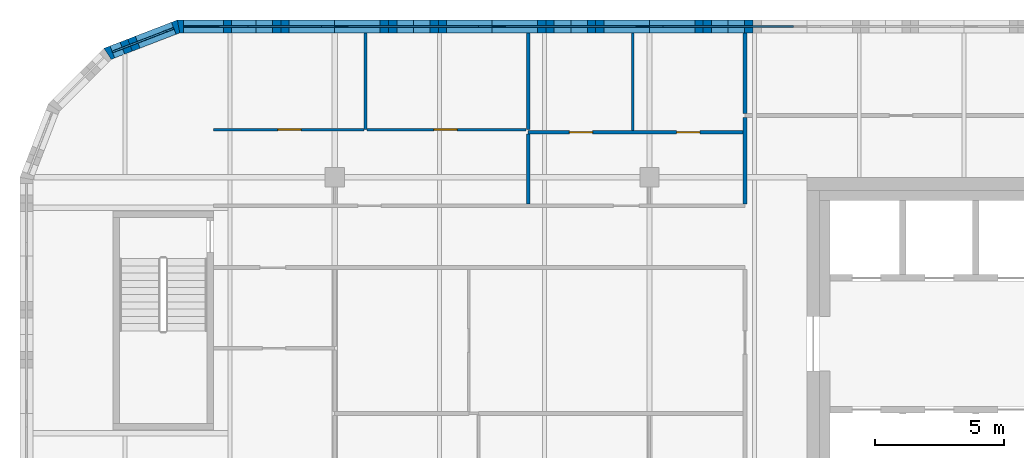
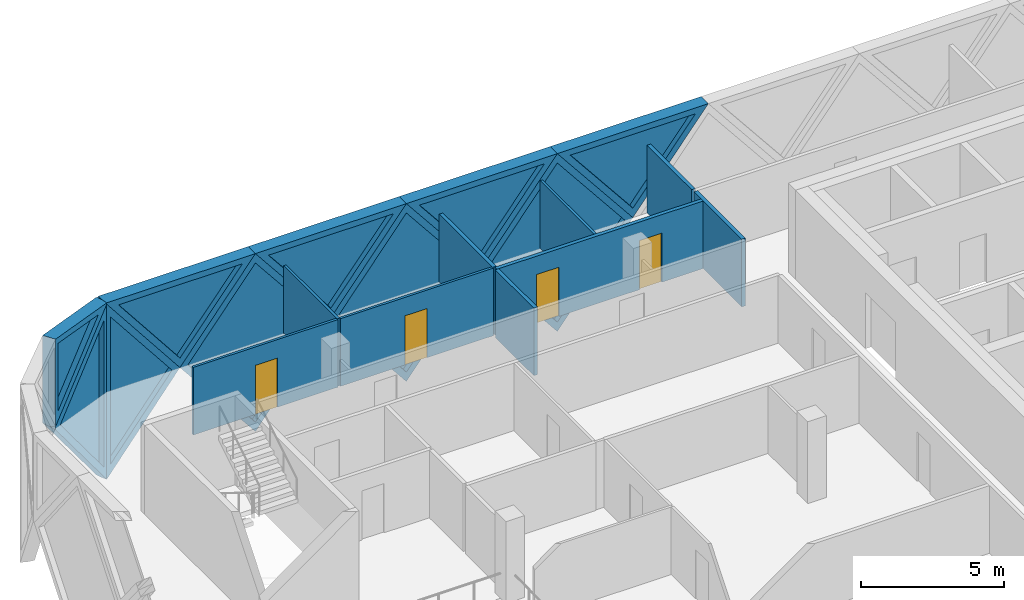
# One storey, part 10 of 15: 19 walls, 10 plates, 4 doors, 14 openings.
"""IFC4 building model written with IfcOpenShell, lengths in metres."""

from ifc_helpers import new_model, si_unit, direction, frame, frame_2d, origin, place, context, subcontext, project, spatial, polyline, rectangle, outline, extrude, faceted_brep, source, transform, mapped, material, layer, layer_set, type_object, element, fill, save


model = new_model("IFC4")

# Units and contexts
model_context = context("Model", 3, precision=1e-05, world=origin(), true_north=direction((0.0, 1.0)))
body_context = subcontext(model_context, "Body", "Model", "MODEL_VIEW")
ifc_project = project(units=[si_unit("LENGTHUNIT", "METRE"), si_unit("AREAUNIT", "SQUARE_METRE"), si_unit("VOLUMEUNIT", "CUBIC_METRE"), si_unit("PLANEANGLEUNIT", "RADIAN"), si_unit("MASSUNIT", "GRAM", prefix="KILO")], contexts=[model_context])

# Site, building, storey
site_placement = place(None, origin())
site = spatial("IfcSite", under=ifc_project, at=site_placement, CompositionType="ELEMENT")
building_placement = place(site_placement, origin())
building = spatial("IfcBuilding", under=site, at=building_placement, Name="Tessera Gate Towers", CompositionType="ELEMENT")
storey_placement = place(building_placement, frame((0.0, 0.0, 228.300048828125)))
storey = spatial("IfcBuildingStorey", under=building, at=storey_placement, Name="L57", CompositionType="ELEMENT", Elevation=228.300048828125)

# Wall
ifc_material_1 = material(Name="Gypsum board on steel studs, mineral wool", Category="steel")
ifc_layer_1 = layer(ifc_material_1, 0.14990234375)
ifc_layer_set_1 = layer_set([ifc_layer_1], Name="CORRIDOR WALL 150")
wall_type_1 = type_object("IfcWallType", Name="CORRIDOR WALL 150", PredefinedType="PARTITIONING", material=ifc_layer_set_1)
wall_1_placement = place(storey_placement, frame((28.10009765625, 47.77587890625, 0.0), z_axis=(0.0, 0.0, 1.0), x_axis=(0.0, 1.0, 0.0)))
element("IfcWall", 1, at=wall_1_placement, inside=storey, type_object=wall_type_1, Name="T1-L57-PW-043", PredefinedType="PARTITIONING", context=body_context, shape_type="SweptSolid", body=[
    extrude(rectangle(XDim=3.34814453125, YDim=0.14990234375, at=frame_2d((1.674072265625, 0.0))), origin(), (0.0, 0.0, 1.0), 2.887939453125),
])

# Wall, opening, door
ifc_material_2 = material(Name="Glass", Category="glass")
ifc_layer_2 = layer(ifc_material_2, 0.10009765625)
ifc_layer_set_2 = layer_set([ifc_layer_2], Name="GLAZED PARTITION 100")
wall_type_2 = type_object("IfcWallType", Name="GLAZED PARTITION 100", PredefinedType="PARTITIONING", material=ifc_layer_set_2)
wall_2_placement = place(storey_placement, frame((7.5, 50.64990234375, 0.0), z_axis=(0.0, 0.0, 1.0), x_axis=(1.0, 0.0, 0.0)))
wall_2 = element("IfcWall", 2, at=wall_2_placement, inside=storey, type_object=wall_type_2, Name="T1-L57-PW-048", PredefinedType="PARTITIONING", context=body_context, shape_type="SweptSolid", body=[
    extrude(rectangle(XDim=5.8427734375, YDim=0.10009765625, at=frame_2d((2.92138671875, 0.0))), origin(), (0.0, 0.0, 1.0), 2.887939453125),
])
shared_shape_1 = source(origin(), body_context, "Body", "SweptSolid", [
    extrude(rectangle(XDim=0.89990234375, YDim=2.10009765625, at=frame_2d((0.449951171875, 1.050048828125))), frame((0.0, 0.06005859375, 0.0), z_axis=(0.0, -1.0, 0.0), x_axis=(1.0, 0.0, 0.0)), (0.0, 0.0, 1.0), 0.1201171875),
])
opening_1_placement = place(wall_2_placement, frame((2.5, 0.0, 0.0)))
opening_1 = element("IfcOpeningElement", 3, at=opening_1_placement, cuts=wall_2, Name="Opening D690-A20-05", PredefinedType="OPENING", context=body_context, shape_type="MappedRepresentation", body=[
    mapped(shared_shape_1, transform((0.0, 0.0, 0.0), scale=1.0)),
])
ifc_material_3 = material(Name="Glass in aluminium frame", Category="aluminium")
door_type_1 = type_object("IfcDoorType", Name="GLAZED DOOR 900 NOT RATED", OperationType="NOTDEFINED", PredefinedType="DOOR", material=ifc_material_3)
shared_shape_2 = source(origin(), body_context, "Body", "SweptSolid", [
    extrude(rectangle(XDim=0.89990234375, YDim=2.10009765625, at=frame_2d((0.449951171875, 1.050048828125))), frame((0.0, 0.02490234375, 0.0), z_axis=(0.0, -1.0, 0.0), x_axis=(1.0, 0.0, 0.0)), (0.0, 0.0, 1.0), 0.050048828125),
])
door_1_placement = place(opening_1_placement, origin())
door_1 = element("IfcDoor", 4, at=door_1_placement, inside=storey, type_object=door_type_1, Name="T1-L57-PD-012", OperationType="SINGLE_SWING_LEFT", OverallHeight=2.10009765625, OverallWidth=0.89990234375, PredefinedType="DOOR", context=body_context, shape_type="MappedRepresentation", body=[
    mapped(shared_shape_2, transform((0.0, 0.0, 0.0), scale=1.0)),
])
fill(opening_1, door_1)

wall_3_placement = place(storey_placement, frame((13.444580078125, 50.64990234375, 0.0), z_axis=(0.0, 0.0, 1.0), x_axis=(1.0, 0.0, 0.0)))
wall_3 = element("IfcWall", 5, at=wall_3_placement, inside=storey, type_object=wall_type_2, Name="T1-L57-PW-050", PredefinedType="PARTITIONING", context=body_context, shape_type="SweptSolid", body=[
    extrude(rectangle(XDim=6.179443359375, YDim=0.10009765625, at=frame_2d((3.08984375, 0.0))), origin(), (0.0, 0.0, 1.0), 2.887939453125),
])
opening_2_placement = place(wall_3_placement, frame((2.60009765625, 0.0, 0.0)))
opening_2 = element("IfcOpeningElement", 6, at=opening_2_placement, cuts=wall_3, Name="Opening D690-A20-07", PredefinedType="OPENING", context=body_context, shape_type="MappedRepresentation", body=[
    mapped(shared_shape_1, transform((0.0, 0.0, 0.0), scale=1.0)),
])
door_2_placement = place(opening_2_placement, origin())
door_2 = element("IfcDoor", 7, at=door_2_placement, inside=storey, type_object=door_type_1, Name="T1-L57-PD-016", OperationType="SINGLE_SWING_LEFT", OverallHeight=2.10009765625, OverallWidth=0.89990234375, PredefinedType="DOOR", context=body_context, shape_type="MappedRepresentation", body=[
    mapped(shared_shape_2, transform((0.0, 0.0, 0.0), scale=1.0)),
])
fill(opening_2, door_2)

# Walls
ifc_material_4 = material(Name="Gypsum board on steel studs", Category="steel")
ifc_layer_3 = layer(ifc_material_4, 0.10009765625)
ifc_layer_set_3 = layer_set([ifc_layer_3], Name="PARTITION 100")
wall_type_3 = type_object("IfcWallType", Name="PARTITION 100", PredefinedType="PARTITIONING", material=ifc_layer_set_3)
wall_4_placement = place(storey_placement, frame((23.758056640625, 50.6259765625, 0.0), z_axis=(0.0, 0.0, 1.0), x_axis=(0.0, 1.0, 0.0)))
element("IfcWall", 8, at=wall_4_placement, inside=storey, type_object=wall_type_3, Name="T1-L57-PW-047", PredefinedType="PARTITIONING", context=body_context, shape_type="SweptSolid", body=[
    extrude(rectangle(XDim=3.77392578125, YDim=0.10009765625, at=frame_2d((1.886962890625, 0.0))), origin(), (0.0, 0.0, 1.0), 2.887939453125),
])
wall_5_placement = place(storey_placement, frame((13.39404296875, 50.64990234375, 0.0), z_axis=(0.0, 0.0, 1.0), x_axis=(0.0, 1.0, 0.0)))
element("IfcWall", 9, at=wall_5_placement, inside=storey, type_object=wall_type_3, Name="T1-L57-PW-049", PredefinedType="PARTITIONING", context=body_context, shape_type="SweptSolid", body=[
    extrude(rectangle(XDim=3.75, YDim=0.10009765625, at=frame_2d((1.875, 0.0))), origin(), (0.0, 0.0, 1.0), 2.887939453125),
])
ifc_material_5 = material(Name="Gypsum board on steel studs, mineral wool", Category="steel")
ifc_layer_4 = layer(ifc_material_5, 0.14990234375)
ifc_layer_set_4 = layer_set([ifc_layer_4], Name="TENANCY WALL 150")
wall_type_4 = type_object("IfcWallType", Name="TENANCY WALL 150", PredefinedType="PARTITIONING", material=ifc_layer_set_4)
wall_6_placement = place(storey_placement, frame((19.699951171875, 47.77587890625, 0.0), z_axis=(0.0, 0.0, 1.0), x_axis=(0.0, 1.0, 0.0)))
element("IfcWall", 10, at=wall_6_placement, inside=storey, type_object=wall_type_4, Name="T1-L57-PW-042", PredefinedType="PARTITIONING", context=body_context, shape_type="SweptSolid", body=[
    extrude(rectangle(XDim=2.6982421875, YDim=0.14990234375, at=frame_2d((1.34912109375, 0.0))), origin(), (0.0, 0.0, 1.0), 2.887939453125),
])

# Wall, openings, doors
wall_7_placement = place(storey_placement, frame((19.699951171875, 50.550048828125, 0.0), z_axis=(0.0, 0.0, 1.0), x_axis=(1.0, 0.0, 0.0)))
wall_7 = element("IfcWall", 11, at=wall_7_placement, inside=storey, type_object=wall_type_4, Name="T1-L57-PW-046", PredefinedType="PARTITIONING", context=body_context, shape_type="SweptSolid", body=[
    extrude(rectangle(XDim=8.323974609375, YDim=0.14990234375, at=frame_2d((4.162109375, 0.0))), origin(), (0.0, 0.0, 1.0), 2.887939453125),
])
shared_shape_3 = source(origin(), body_context, "Body", "SweptSolid", [
    extrude(rectangle(XDim=0.89990234375, YDim=2.10009765625, at=frame_2d((0.449951171875, 1.050048828125))), frame((0.0, 0.0849609375, 0.0), z_axis=(0.0, -1.0, 0.0), x_axis=(1.0, 0.0, 0.0)), (0.0, 0.0, 1.0), 0.169921875),
])
opening_3_placement = place(wall_7_placement, frame((1.60009765625, 0.0, 0.0)))
opening_3 = element("IfcOpeningElement", 12, at=opening_3_placement, cuts=wall_7, Name="Opening D190-A20-01", PredefinedType="OPENING", context=body_context, shape_type="MappedRepresentation", body=[
    mapped(shared_shape_3, transform((0.0, 0.0, 0.0), scale=1.0)),
])
opening_4_placement = place(wall_7_placement, frame((5.758056640625, 0.0, 0.0)))
opening_4 = element("IfcOpeningElement", 13, at=opening_4_placement, cuts=wall_7, Name="Opening D190-A20-02", PredefinedType="OPENING", context=body_context, shape_type="MappedRepresentation", body=[
    mapped(shared_shape_3, transform((0.0, 0.0, 0.0), scale=1.0)),
])
ifc_material_6 = material(Name="Timber door leaf in steel frame", Category="steel")
door_type_2 = type_object("IfcDoorType", Name="INTERNAL DOOR 900 NOT RATED", OperationType="NOTDEFINED", PredefinedType="DOOR", material=ifc_material_6)
door_3_placement = place(opening_3_placement, origin())
door_3 = element("IfcDoor", 14, at=door_3_placement, inside=storey, type_object=door_type_2, Name="T1-L57-PD-002", OperationType="SINGLE_SWING_LEFT", OverallHeight=2.10009765625, OverallWidth=0.89990234375, PredefinedType="DOOR", context=body_context, shape_type="MappedRepresentation", body=[
    mapped(shared_shape_2, transform((0.0, 0.0, 0.0), scale=1.0)),
])
fill(opening_3, door_3)
door_4_placement = place(opening_4_placement, origin())
door_4 = element("IfcDoor", 15, at=door_4_placement, inside=storey, type_object=door_type_2, Name="T1-L57-PD-003", OperationType="SINGLE_SWING_LEFT", OverallHeight=2.10009765625, OverallWidth=0.89990234375, PredefinedType="DOOR", context=body_context, shape_type="MappedRepresentation", body=[
    mapped(shared_shape_2, transform((0.0, 0.0, 0.0), scale=1.0)),
])
fill(opening_4, door_4)

# Walls
wall_8_placement = place(storey_placement, frame((19.699951171875, 50.64990234375, 0.0), z_axis=(0.0, 0.0, 1.0), x_axis=(0.0, 1.0, 0.0)))
element("IfcWall", 16, at=wall_8_placement, inside=storey, type_object=wall_type_4, Name="T1-L57-PW-051", PredefinedType="PARTITIONING", context=body_context, shape_type="SweptSolid", body=[
    extrude(rectangle(XDim=3.75, YDim=0.14990234375, at=frame_2d((1.875, 0.0))), origin(), (0.0, 0.0, 1.0), 2.887939453125),
])
wall_9_placement = place(storey_placement, frame((28.10009765625, 51.27587890625, 0.0), z_axis=(0.0, 0.0, 1.0), x_axis=(0.0, 1.0, 0.0)))
element("IfcWall", 17, at=wall_9_placement, inside=storey, type_object=wall_type_4, Name="T1-L57-PW-053", PredefinedType="PARTITIONING", context=body_context, shape_type="SweptSolid", body=[
    extrude(rectangle(XDim=3.1240234375, YDim=0.14990234375, at=frame_2d((1.56201171875, 0.0))), origin(), (0.0, 0.0, 1.0), 2.887939453125),
])

# Wall, opening, plate
ifc_material_7 = material(Name="Precast concrete C60/75 white", Category="concrete")
ifc_layer_5 = layer(ifc_material_7, 0.5)
ifc_layer_set_5 = layer_set([ifc_layer_5], Name="TS1 tessera")
wall_type_5 = type_object("IfcWallType", Name="TS1 tessera", PredefinedType="SOLIDWALL", material=ifc_layer_set_5)
shared_shape_4 = source(origin(), body_context, "Body", "Brep", [
    faceted_brep([(3.050048828125, -0.25, 0.0), (6.099853515625, -0.25, 3.7998046875), (6.099853515625, -0.25, 3.80029296875), (3.050048828125, -0.25, 7.60009765625), (0.0, -0.25, 3.800048828125), (0.0, 0.25, 3.800048828125), (3.050048828125, 0.25, 7.60009765625), (6.099853515625, 0.25, 3.80029296875), (6.099853515625, 0.25, 3.7998046875), (3.050048828125, 0.25, 0.0)], [[[0, 1, 2, 3, 4]], [[5, 6, 7, 8, 9]], [[9, 8, 1, 0]], [[7, 6, 3, 2]], [[6, 5, 4, 3]], [[5, 9, 0, 4]], [[1, 8, 7, 2]]]),
])
wall_10_placement = place(storey_placement, frame((27.449951171875, 54.64990234375, -3.800048828125), z_axis=(0.0, 0.0, 1.0), x_axis=(-1.0, 0.0, 0.0)))
wall_10 = element("IfcWall", 18, at=wall_10_placement, inside=storey, type_object=wall_type_5, Name="Precast tessera T1 TS1-1026", PredefinedType="SOLIDWALL", context=body_context, shape_type="MappedRepresentation", body=[
    mapped(shared_shape_4, transform((0.0, 0.0, 0.0), scale=1.0)),
])
shared_shape_5 = source(origin(), body_context, "Body", "SweptSolid", [
    extrude(outline(polyline([(3.050048828125, 0.3994140625), (5.779541015625, 3.800048828125), (3.050048828125, 7.20068359375), (0.320556640625, 3.800048828125), (3.050048828125, 0.3994140625)])), frame((0.0, 0.260009765625, 0.0), z_axis=(0.0, -1.0, 0.0), x_axis=(1.0, 0.0, 0.0)), (0.0, 0.0, 1.0), 0.52001953125),
])
opening_5_placement = place(wall_10_placement, origin())
opening_5 = element("IfcOpeningElement", 19, at=opening_5_placement, cuts=wall_10, Name="Opening T1-PL2-2092", PredefinedType="OPENING", context=body_context, shape_type="MappedRepresentation", body=[
    mapped(shared_shape_5, transform((0.0, 0.0, 0.0), scale=1.0)),
])
ifc_material_8 = material(Name="Low-e laminated glass", Category="glass")
ifc_layer_6 = layer(ifc_material_8, 0.06005859375)
ifc_layer_set_6 = layer_set([ifc_layer_6], Name="PL2 rhombic pane")
plate_type_1 = type_object("IfcPlateType", Name="PL2 rhombic pane", PredefinedType="SHEET", material=ifc_layer_set_6)
shared_shape_6 = source(origin(), body_context, "Body", "SweptSolid", [
    extrude(outline(polyline([(3.050048828125, 0.3994140625), (5.779541015625, 3.800048828125), (3.050048828125, 7.20068359375), (0.320556640625, 3.800048828125), (3.050048828125, 0.3994140625)])), frame((0.0, 0.030029296875, 0.0), z_axis=(0.0, -1.0, 0.0), x_axis=(1.0, 0.0, 0.0)), (0.0, 0.0, 1.0), 0.06005859375),
])
plate_1_placement = place(opening_5_placement, origin())
plate_1 = element("IfcPlate", 20, at=plate_1_placement, inside=storey, type_object=plate_type_1, Name="Glass pane T1 PL2-2092", PredefinedType="SHEET", context=body_context, shape_type="MappedRepresentation", body=[
    mapped(shared_shape_6, transform((0.0, 0.0, 0.0), scale=1.0)),
])
fill(opening_5, plate_1)

shared_shape_7 = source(origin(), body_context, "Body", "SweptSolid", [
    extrude(outline(polyline([(3.050048828125, 0.0), (6.10009765625, 3.800048828125), (3.050048828125, 7.60009765625), (0.0, 3.800048828125), (3.050048828125, 0.0)])), frame((0.0, 0.25, 0.0), z_axis=(0.0, -1.0, 0.0), x_axis=(1.0, 0.0, 0.0)), (0.0, 0.0, 1.0), 0.5),
])
wall_11_placement = place(storey_placement, frame((21.35009765625, 54.64990234375, -3.800048828125), z_axis=(0.0, 0.0, 1.0), x_axis=(-1.0, 0.0, 0.0)))
wall_11 = element("IfcWall", 21, at=wall_11_placement, inside=storey, type_object=wall_type_5, Name="Precast tessera T1 TS1-1027", PredefinedType="SOLIDWALL", context=body_context, shape_type="MappedRepresentation", body=[
    mapped(shared_shape_7, transform((0.0, 0.0, 0.0), scale=1.0)),
])
opening_6_placement = place(wall_11_placement, origin())
opening_6 = element("IfcOpeningElement", 22, at=opening_6_placement, cuts=wall_11, Name="Opening T1-PL2-2093", PredefinedType="OPENING", context=body_context, shape_type="MappedRepresentation", body=[
    mapped(shared_shape_5, transform((0.0, 0.0, 0.0), scale=1.0)),
])
plate_2_placement = place(opening_6_placement, origin())
plate_2 = element("IfcPlate", 23, at=plate_2_placement, inside=storey, type_object=plate_type_1, Name="Glass pane T1 PL2-2093", PredefinedType="SHEET", context=body_context, shape_type="MappedRepresentation", body=[
    mapped(shared_shape_6, transform((0.0, 0.0, 0.0), scale=1.0)),
])
fill(opening_6, plate_2)

wall_12_placement = place(storey_placement, frame((15.25, 54.64990234375, -3.800048828125), z_axis=(0.0, 0.0, 1.0), x_axis=(-1.0, 0.0, 0.0)))
wall_12 = element("IfcWall", 24, at=wall_12_placement, inside=storey, type_object=wall_type_5, Name="Precast tessera T1 TS1-1028", PredefinedType="SOLIDWALL", context=body_context, shape_type="MappedRepresentation", body=[
    mapped(shared_shape_7, transform((0.0, 0.0, 0.0), scale=1.0)),
])
opening_7_placement = place(wall_12_placement, origin())
opening_7 = element("IfcOpeningElement", 25, at=opening_7_placement, cuts=wall_12, Name="Opening T1-PL2-2094", PredefinedType="OPENING", context=body_context, shape_type="MappedRepresentation", body=[
    mapped(shared_shape_5, transform((0.0, 0.0, 0.0), scale=1.0)),
])
plate_3_placement = place(opening_7_placement, origin())
plate_3 = element("IfcPlate", 26, at=plate_3_placement, inside=storey, type_object=plate_type_1, Name="Glass pane T1 PL2-2094", PredefinedType="SHEET", context=body_context, shape_type="MappedRepresentation", body=[
    mapped(shared_shape_6, transform((0.0, 0.0, 0.0), scale=1.0)),
])
fill(opening_7, plate_3)

ifc_material_9 = material(Name="Precast concrete C60/75 white", Category="concrete")
ifc_layer_7 = layer(ifc_material_9, 0.5)
ifc_layer_set_7 = layer_set([ifc_layer_7], Name="TS3 corner tessera")
wall_type_6 = type_object("IfcWallType", Name="TS3 corner tessera", PredefinedType="SOLIDWALL", material=ifc_layer_set_7)
shared_shape_8 = source(origin(), body_context, "Body", "Brep", [
    faceted_brep([(3.00341796875, -0.25, 0.0), (3.050048828125, -0.25, 0.06005859375), (3.050048828125, -0.25, 7.5400390625), (3.00341796875, -0.25, 7.60009765625), (0.0, -0.25, 3.800048828125), (0.0, 0.25, 3.800048828125), (2.956787109375, 0.25, 7.541259765625), (2.956787109375, 0.25, 0.058837890625), (3.00341796875, 0.000244140625, 0.0), (3.00341796875, 0.000244140625, 7.60009765625)], [[[0, 1, 2, 3, 4]], [[5, 6, 7]], [[1, 0, 8]], [[9, 3, 2]], [[6, 5, 4, 3, 9]], [[5, 7, 8, 0, 4]], [[1, 8, 7, 6, 9, 2]]]),
])
wall_13_placement = place(storey_placement, frame((9.14990234375, 54.64990234375, -3.800048828125), z_axis=(0.0, 0.0, 1.0), x_axis=(-1.0, 0.0, 0.0)))
wall_13 = element("IfcWall", 27, at=wall_13_placement, inside=storey, type_object=wall_type_6, Name="Precast corner tessera T1 TS3-1331", PredefinedType="SOLIDWALL", context=body_context, shape_type="MappedRepresentation", body=[
    mapped(shared_shape_8, transform((0.0, 0.0, 0.0), scale=1.0)),
])
shared_shape_9 = source(origin(), body_context, "Body", "SweptSolid", [
    extrude(outline(polyline([(2.803466796875, 6.94384765625), (0.318603515625, 3.800048828125), (2.803466796875, 0.65625), (2.803466796875, 6.94384765625)])), frame((0.0, 0.260009765625, 0.0), z_axis=(0.0, -1.0, 0.0), x_axis=(1.0, 0.0, 0.0)), (0.0, 0.0, 1.0), 0.52001953125),
])
opening_8_placement = place(wall_13_placement, origin())
opening_8 = element("IfcOpeningElement", 28, at=opening_8_placement, cuts=wall_13, Name="Opening T1-PL2-2095", PredefinedType="OPENING", context=body_context, shape_type="MappedRepresentation", body=[
    mapped(shared_shape_9, transform((0.0, 0.0, 0.0), scale=1.0)),
])
shared_shape_10 = source(origin(), body_context, "Body", "SweptSolid", [
    extrude(outline(polyline([(2.803466796875, 6.94384765625), (0.318603515625, 3.800048828125), (2.803466796875, 0.65625), (2.803466796875, 6.94384765625)])), frame((0.0, 0.030029296875, 0.0), z_axis=(0.0, -1.0, 0.0), x_axis=(1.0, 0.0, 0.0)), (0.0, 0.0, 1.0), 0.06005859375),
])
plate_4_placement = place(opening_8_placement, origin())
plate_4 = element("IfcPlate", 29, at=plate_4_placement, inside=storey, type_object=plate_type_1, Name="Glass pane T1 PL2-2095", PredefinedType="SHEET", context=body_context, shape_type="MappedRepresentation", body=[
    mapped(shared_shape_10, transform((0.0, 0.0, 0.0), scale=1.0)),
])
fill(opening_8, plate_4)

shared_shape_11 = source(origin(), body_context, "Body", "Brep", [
    faceted_brep([(0.046630859375, -0.25, 0.0), (2.9970703125, -0.25, 3.800048828125), (0.046630859375, -0.25, 7.60009765625), (0.0, -0.25, 7.541259765625), (0.0, -0.25, 0.058837890625), (0.09326171875, 0.25, 7.5400390625), (2.9443359375, 0.25, 3.8681640625), (2.9443359375, 0.25, 3.73193359375), (0.09326171875, 0.25, 0.06005859375), (2.9970703125, 0.00048828125, 3.800048828125), (0.046630859375, 0.0, 0.0), (0.046630859375, 0.0, 7.60009765625)], [[[0, 1, 2, 3, 4]], [[5, 6, 7, 8]], [[8, 7, 9, 1, 0, 10]], [[6, 5, 11, 2, 1, 9]], [[3, 2, 11]], [[10, 0, 4]], [[8, 10, 4, 3, 11, 5]], [[9, 7, 6]]]),
])
wall_14_placement = place(storey_placement, frame((6.18994140625, 54.666748046875, -3.800048828125), z_axis=(0.0, 0.0, 1.0), x_axis=(-0.932990326376, -0.359901446078, 0.0)))
wall_14 = element("IfcWall", 30, at=wall_14_placement, inside=storey, type_object=wall_type_6, Name="Precast corner tessera T1 TS3-1332", PredefinedType="SOLIDWALL", context=body_context, shape_type="MappedRepresentation", body=[
    mapped(shared_shape_11, transform((0.0, 0.0, 0.0), scale=1.0)),
])
shared_shape_12 = source(origin(), body_context, "Body", "SweptSolid", [
    extrude(outline(polyline([(0.24658203125, 0.665283203125), (2.6806640625, 3.800048828125), (0.24658203125, 6.934814453125), (0.24658203125, 0.665283203125)])), frame((0.0, 0.260009765625, 0.0), z_axis=(0.0, -1.0, 0.0), x_axis=(1.0, 0.0, 0.0)), (0.0, 0.0, 1.0), 0.52001953125),
])
opening_9_placement = place(wall_14_placement, origin())
opening_9 = element("IfcOpeningElement", 31, at=opening_9_placement, cuts=wall_14, Name="Opening T1-PL2-2096", PredefinedType="OPENING", context=body_context, shape_type="MappedRepresentation", body=[
    mapped(shared_shape_12, transform((0.0, 0.0, 0.0), scale=1.0)),
])
shared_shape_13 = source(origin(), body_context, "Body", "SweptSolid", [
    extrude(outline(polyline([(0.24658203125, 0.665283203125), (2.6806640625, 3.800048828125), (0.24658203125, 6.934814453125), (0.24658203125, 0.665283203125)])), frame((0.0, 0.030029296875, 0.0), z_axis=(0.0, -1.0, 0.0), x_axis=(1.0, 0.0, 0.0)), (0.0, 0.0, 1.0), 0.06005859375),
])
plate_5_placement = place(opening_9_placement, origin())
plate_5 = element("IfcPlate", 32, at=plate_5_placement, inside=storey, type_object=plate_type_1, Name="Glass pane T1 PL2-2096", PredefinedType="SHEET", context=body_context, shape_type="MappedRepresentation", body=[
    mapped(shared_shape_13, transform((0.0, 0.0, 0.0), scale=1.0)),
])
fill(opening_9, plate_5)

ifc_material_10 = material(Name="Precast concrete C60/75 white", Category="concrete")
ifc_layer_8 = layer(ifc_material_10, 0.5)
ifc_layer_set_8 = layer_set([ifc_layer_8], Name="TS2 half tessera")
wall_type_7 = type_object("IfcWallType", Name="TS2 half tessera", PredefinedType="SOLIDWALL", material=ifc_layer_set_8)
shared_shape_14 = source(origin(), body_context, "Body", "Brep", [
    faceted_brep([(3.050048828125, -0.25, 0.0), (6.099853515625, -0.25, 3.7998046875), (6.099853515625, -0.25, 3.800048828125), (0.0, -0.25, 3.800048828125), (0.0, 0.25, 3.800048828125), (6.099853515625, 0.25, 3.800048828125), (6.099853515625, 0.25, 3.7998046875), (3.050048828125, 0.25, 0.0)], [[[0, 1, 2, 3]], [[4, 5, 6, 7]], [[7, 6, 1, 0]], [[5, 4, 3, 2]], [[4, 7, 0, 3]], [[1, 6, 5, 2]]]),
])
wall_15_placement = place(storey_placement, frame((24.39990234375, 54.64990234375, 0.0), z_axis=(0.0, 0.0, 1.0), x_axis=(-1.0, 0.0, 0.0)))
wall_15 = element("IfcWall", 33, at=wall_15_placement, inside=storey, type_object=wall_type_7, Name="Precast half tessera T1 TS2-0268", PredefinedType="SOLIDWALL", context=body_context, shape_type="MappedRepresentation", body=[
    mapped(shared_shape_14, transform((0.0, 0.0, 0.0), scale=1.0)),
])
shared_shape_15 = source(origin(), body_context, "Body", "SweptSolid", [
    extrude(outline(polyline([(3.050048828125, 0.3994140625), (5.578857421875, 3.550048828125), (0.521240234375, 3.550048828125), (3.050048828125, 0.3994140625)])), frame((0.0, 0.260009765625, 0.0), z_axis=(0.0, -1.0, 0.0), x_axis=(1.0, 0.0, 0.0)), (0.0, 0.0, 1.0), 0.52001953125),
])
opening_10_placement = place(wall_15_placement, origin())
opening_10 = element("IfcOpeningElement", 34, at=opening_10_placement, cuts=wall_15, Name="Opening T1-PL1-0540", PredefinedType="OPENING", context=body_context, shape_type="MappedRepresentation", body=[
    mapped(shared_shape_15, transform((0.0, 0.0, 0.0), scale=1.0)),
])
ifc_material_11 = material(Name="Low-e laminated glass", Category="glass")
ifc_layer_9 = layer(ifc_material_11, 0.06005859375)
ifc_layer_set_9 = layer_set([ifc_layer_9], Name="PL1 triangular pane")
plate_type_2 = type_object("IfcPlateType", Name="PL1 triangular pane", PredefinedType="SHEET", material=ifc_layer_set_9)
shared_shape_16 = source(origin(), body_context, "Body", "SweptSolid", [
    extrude(outline(polyline([(3.050048828125, 0.3994140625), (5.578857421875, 3.550048828125), (0.521240234375, 3.550048828125), (3.050048828125, 0.3994140625)])), frame((0.0, 0.030029296875, 0.0), z_axis=(0.0, -1.0, 0.0), x_axis=(1.0, 0.0, 0.0)), (0.0, 0.0, 1.0), 0.06005859375),
])
plate_6_placement = place(opening_10_placement, origin())
plate_6 = element("IfcPlate", 35, at=plate_6_placement, inside=storey, type_object=plate_type_2, Name="Glass pane T1 PL1-0540", PredefinedType="SHEET", context=body_context, shape_type="MappedRepresentation", body=[
    mapped(shared_shape_16, transform((0.0, 0.0, 0.0), scale=1.0)),
])
fill(opening_10, plate_6)

shared_shape_17 = source(origin(), body_context, "Body", "SweptSolid", [
    extrude(outline(polyline([(3.050048828125, 0.0), (6.10009765625, 3.800048828125), (0.0, 3.800048828125), (3.050048828125, 0.0)])), frame((0.0, 0.25, 0.0), z_axis=(0.0, -1.0, 0.0), x_axis=(1.0, 0.0, 0.0)), (0.0, 0.0, 1.0), 0.5),
])
wall_16_placement = place(storey_placement, frame((30.5, 54.64990234375, 0.0), z_axis=(0.0, 0.0, 1.0), x_axis=(-1.0, 0.0, 0.0)))
wall_16 = element("IfcWall", 36, at=wall_16_placement, inside=storey, type_object=wall_type_7, Name="Precast half tessera T1 TS2-0267", PredefinedType="SOLIDWALL", context=body_context, shape_type="MappedRepresentation", body=[
    mapped(shared_shape_17, transform((0.0, 0.0, 0.0), scale=1.0)),
])
opening_11_placement = place(wall_16_placement, origin())
opening_11 = element("IfcOpeningElement", 37, at=opening_11_placement, cuts=wall_16, Name="Opening T1-PL1-0539", PredefinedType="OPENING", context=body_context, shape_type="MappedRepresentation", body=[
    mapped(shared_shape_15, transform((0.0, 0.0, 0.0), scale=1.0)),
])
plate_7_placement = place(opening_11_placement, origin())
plate_7 = element("IfcPlate", 38, at=plate_7_placement, inside=storey, type_object=plate_type_2, Name="Glass pane T1 PL1-0539", PredefinedType="SHEET", context=body_context, shape_type="MappedRepresentation", body=[
    mapped(shared_shape_16, transform((0.0, 0.0, 0.0), scale=1.0)),
])
fill(opening_11, plate_7)

wall_17_placement = place(storey_placement, frame((18.300048828125, 54.64990234375, 0.0), z_axis=(0.0, 0.0, 1.0), x_axis=(-1.0, 0.0, 0.0)))
wall_17 = element("IfcWall", 39, at=wall_17_placement, inside=storey, type_object=wall_type_7, Name="Precast half tessera T1 TS2-0269", PredefinedType="SOLIDWALL", context=body_context, shape_type="MappedRepresentation", body=[
    mapped(shared_shape_17, transform((0.0, 0.0, 0.0), scale=1.0)),
])
opening_12_placement = place(wall_17_placement, origin())
opening_12 = element("IfcOpeningElement", 40, at=opening_12_placement, cuts=wall_17, Name="Opening T1-PL1-0541", PredefinedType="OPENING", context=body_context, shape_type="MappedRepresentation", body=[
    mapped(shared_shape_15, transform((0.0, 0.0, 0.0), scale=1.0)),
])
plate_8_placement = place(opening_12_placement, origin())
plate_8 = element("IfcPlate", 41, at=plate_8_placement, inside=storey, type_object=plate_type_2, Name="Glass pane T1 PL1-0541", PredefinedType="SHEET", context=body_context, shape_type="MappedRepresentation", body=[
    mapped(shared_shape_16, transform((0.0, 0.0, 0.0), scale=1.0)),
])
fill(opening_12, plate_8)

shared_shape_18 = source(origin(), body_context, "Body", "Brep", [
    faceted_brep([(3.050048828125, -0.25, 0.0), (6.053466796875, -0.25, 3.800048828125), (0.0, -0.25, 3.800048828125), (0.0, 0.25, 3.800048828125), (6.0068359375, 0.25, 3.800048828125), (6.0068359375, 0.25, 3.7412109375), (3.050048828125, 0.25, 0.0), (6.053466796875, 0.0, 3.800048828125)], [[[0, 1, 2]], [[3, 4, 5, 6]], [[6, 5, 7, 1, 0]], [[4, 3, 2, 1, 7]], [[3, 6, 0, 2]], [[5, 4, 7]]]),
])
wall_18_placement = place(storey_placement, frame((12.199951171875, 54.64990234375, 0.0), z_axis=(0.0, 0.0, 1.0), x_axis=(-1.0, 0.0, 0.0)))
wall_18 = element("IfcWall", 42, at=wall_18_placement, inside=storey, type_object=wall_type_7, Name="Precast half tessera T1 TS2-0270", PredefinedType="SOLIDWALL", context=body_context, shape_type="MappedRepresentation", body=[
    mapped(shared_shape_18, transform((0.0, 0.0, 0.0), scale=1.0)),
])
shared_shape_19 = source(origin(), body_context, "Body", "SweptSolid", [
    extrude(outline(polyline([(3.048583984375, 0.401123046875), (5.537109375, 3.550048828125), (0.521240234375, 3.550048828125), (3.048583984375, 0.401123046875)])), frame((0.0, 0.260009765625, 0.0), z_axis=(0.0, -1.0, 0.0), x_axis=(1.0, 0.0, 0.0)), (0.0, 0.0, 1.0), 0.52001953125),
])
opening_13_placement = place(wall_18_placement, origin())
opening_13 = element("IfcOpeningElement", 43, at=opening_13_placement, cuts=wall_18, Name="Opening T1-PL1-0542", PredefinedType="OPENING", context=body_context, shape_type="MappedRepresentation", body=[
    mapped(shared_shape_19, transform((0.0, 0.0, 0.0), scale=1.0)),
])
shared_shape_20 = source(origin(), body_context, "Body", "SweptSolid", [
    extrude(outline(polyline([(3.048583984375, 0.401123046875), (5.537109375, 3.550048828125), (0.521240234375, 3.550048828125), (3.048583984375, 0.401123046875)])), frame((0.0, 0.030029296875, 0.0), z_axis=(0.0, -1.0, 0.0), x_axis=(1.0, 0.0, 0.0)), (0.0, 0.0, 1.0), 0.06005859375),
])
plate_9_placement = place(opening_13_placement, origin())
plate_9 = element("IfcPlate", 44, at=plate_9_placement, inside=storey, type_object=plate_type_2, Name="Glass pane T1 PL1-0542", PredefinedType="SHEET", context=body_context, shape_type="MappedRepresentation", body=[
    mapped(shared_shape_20, transform((0.0, 0.0, 0.0), scale=1.0)),
])
fill(opening_13, plate_9)

shared_shape_21 = source(origin(), body_context, "Body", "Brep", [
    faceted_brep([(2.950439453125, -0.25, 0.0), (3.00341796875, -0.25, 0.068359375), (3.00341796875, -0.25, 3.800048828125), (0.0, -0.25, 3.800048828125), (0.046630859375, 0.25, 3.800048828125), (2.897705078125, 0.25, 3.800048828125), (2.897705078125, 0.25, 0.068115234375), (0.046630859375, 0.25, 3.739990234375), (2.950439453125, 0.00048828125, 0.0), (0.0, 0.0, 3.800048828125)], [[[0, 1, 2, 3]], [[4, 5, 6, 7]], [[1, 0, 8]], [[5, 4, 9, 3, 2]], [[7, 6, 8, 0, 3, 9]], [[7, 9, 4]], [[1, 8, 6, 5, 2]]]),
])
wall_19_placement = place(storey_placement, frame((6.146484375, 54.64990234375, 0.0), z_axis=(0.0, 0.0, 1.0), x_axis=(-0.932997369089, -0.359883188373, 0.0)))
wall_19 = element("IfcWall", 45, at=wall_19_placement, inside=storey, type_object=wall_type_6, Name="Precast corner tessera T1 TS3-1353", PredefinedType="SOLIDWALL", context=body_context, shape_type="MappedRepresentation", body=[
    mapped(shared_shape_21, transform((0.0, 0.0, 0.0), scale=1.0)),
])
shared_shape_22 = source(origin(), body_context, "Body", "SweptSolid", [
    extrude(outline(polyline([(2.75048828125, 3.550048828125), (0.5107421875, 3.550048828125), (2.75048828125, 0.665283203125), (2.75048828125, 3.550048828125)])), frame((0.0, 0.260009765625, 0.0), z_axis=(0.0, -1.0, 0.0), x_axis=(1.0, 0.0, 0.0)), (0.0, 0.0, 1.0), 0.52001953125),
])
opening_14_placement = place(wall_19_placement, origin())
opening_14 = element("IfcOpeningElement", 46, at=opening_14_placement, cuts=wall_19, Name="Opening T1-PL1-0543", PredefinedType="OPENING", context=body_context, shape_type="MappedRepresentation", body=[
    mapped(shared_shape_22, transform((0.0, 0.0, 0.0), scale=1.0)),
])
shared_shape_23 = source(origin(), body_context, "Body", "SweptSolid", [
    extrude(outline(polyline([(2.75048828125, 3.550048828125), (0.5107421875, 3.550048828125), (2.75048828125, 0.665283203125), (2.75048828125, 3.550048828125)])), frame((0.0, 0.030029296875, 0.0), z_axis=(0.0, -1.0, 0.0), x_axis=(1.0, 0.0, 0.0)), (0.0, 0.0, 1.0), 0.06005859375),
])
plate_10_placement = place(opening_14_placement, origin())
plate_10 = element("IfcPlate", 47, at=plate_10_placement, inside=storey, type_object=plate_type_2, Name="Glass pane T1 PL1-0543", PredefinedType="SHEET", context=body_context, shape_type="MappedRepresentation", body=[
    mapped(shared_shape_23, transform((0.0, 0.0, 0.0), scale=1.0)),
])
fill(opening_14, plate_10)

save(model, "model.ifc")
